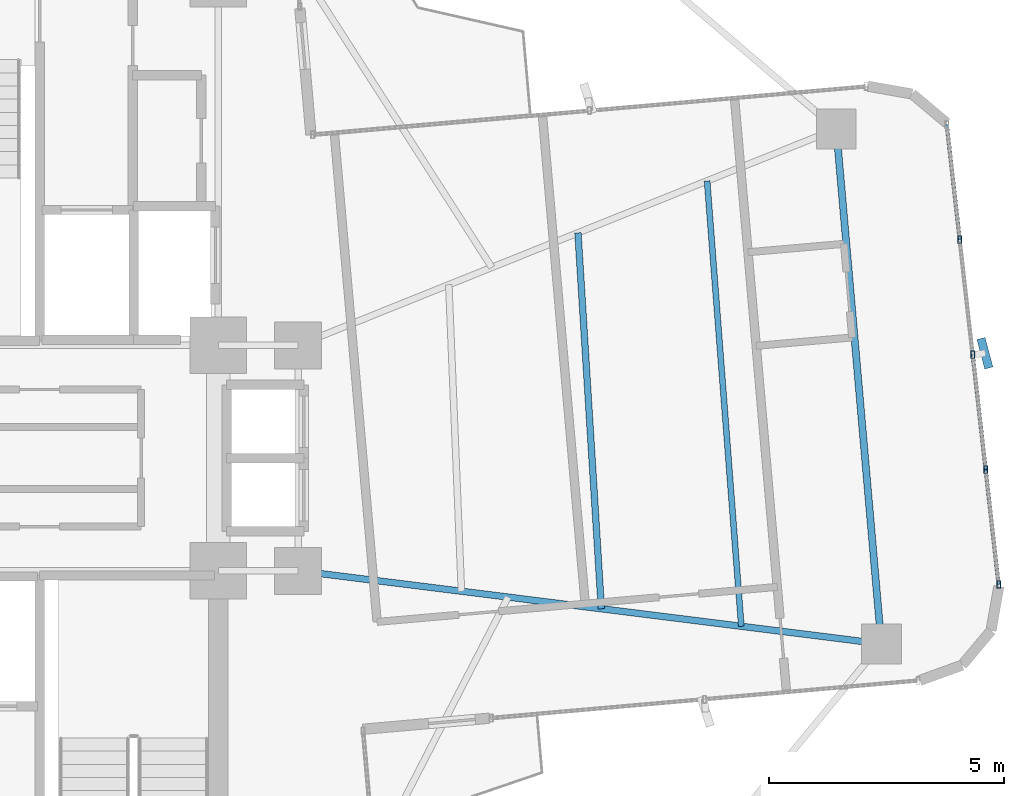
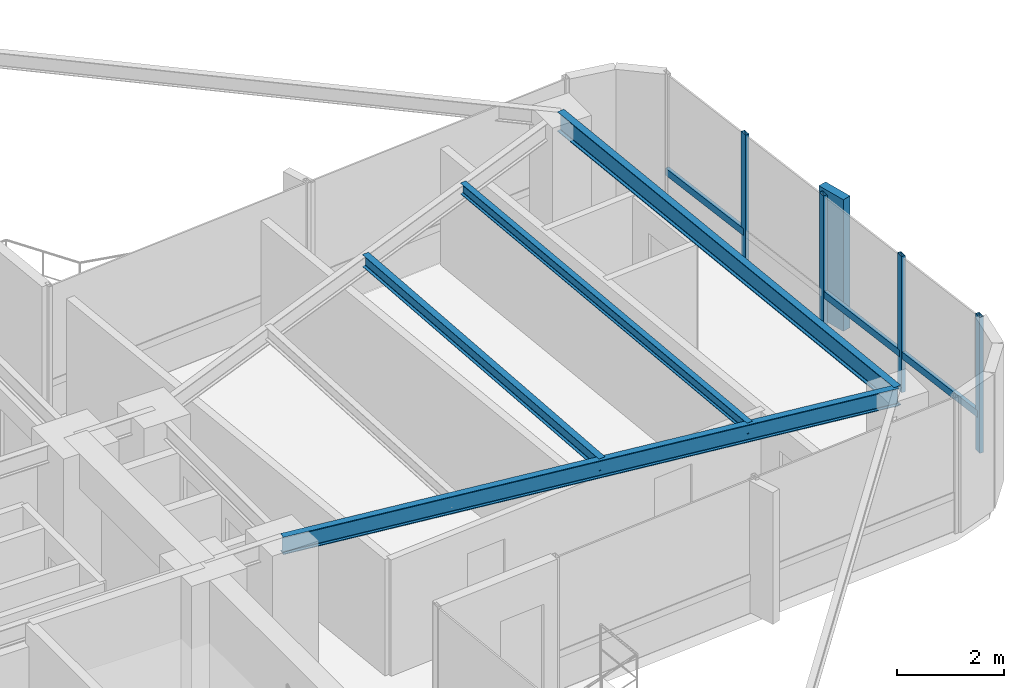
# One storey, part 14 of 24: 8 members, 4 beams, 1 element without a shape of its own.
"""IFC4 building model written with IfcOpenShell, lengths in metres."""

from ifc_helpers import new_model, si_unit, direction, frame, origin, origin_2d, place, context, subcontext, project, spatial, rectangle, hollow_rectangle, i_section, extrude, source, transform, mapped, material, material_profile, profile_set, type_object, element, aggregate, save


model = new_model("IFC4")

# Units and contexts
model_context = context("Model", 3, precision=1e-05, world=origin(), true_north=direction((0.0, 1.0)))
body_context = subcontext(model_context, "Body", "Model", "MODEL_VIEW")
ifc_project = project(units=[si_unit("LENGTHUNIT", "METRE"), si_unit("AREAUNIT", "SQUARE_METRE"), si_unit("VOLUMEUNIT", "CUBIC_METRE"), si_unit("PLANEANGLEUNIT", "RADIAN"), si_unit("MASSUNIT", "GRAM", prefix="KILO")], contexts=[model_context])

# Site, building, storey
site_placement = place(None, origin())
site = spatial("IfcSite", under=ifc_project, at=site_placement, CompositionType="ELEMENT")
building_placement = place(site_placement, origin())
building = spatial("IfcBuilding", under=site, at=building_placement, Name="Sahyath Konkavel Grand Hotel", CompositionType="ELEMENT")
storey_placement = place(building_placement, frame((0.0, 0.0, 157.300048828125)))
storey = spatial("IfcBuildingStorey", under=building, at=storey_placement, Name="L43", CompositionType="ELEMENT", Elevation=157.300048828125)

# Beams
ifc_material_1 = material(Name="Steel E350", Category="steel")
ifc_material_profile_1 = material_profile(ifc_material_1, i_section(OverallWidth=0.139892578125, OverallDepth=0.39990234375, WebThickness=0.0087890625, FlangeThickness=0.01611328125, FilletRadius=0.013916015625, at=origin_2d()), Name="ISMB 400")
ifc_profile_set_1 = profile_set([ifc_material_profile_1], Name="Steel E350")
beam_type_1 = type_object("IfcBeamType", Name="BM-ISMB400", PredefinedType="BEAM", material=ifc_profile_set_1)
shared_shape_1 = source(origin(), body_context, "Body", "SweptSolid", [
    extrude(i_section(OverallWidth=0.139892578125, OverallDepth=0.39990234375, WebThickness=0.0087890625, FlangeThickness=0.01611328125, FilletRadius=0.013916015625, at=origin_2d()), origin(), (0.0, 0.0, 1.0), 12.509765625),
])
beam_1_placement = place(storey_placement, frame((5.5, -2.39990234375, 2.909912109375), z_axis=(0.992254740459, -0.124219684578, 0.0), x_axis=(0.124219684578, 0.992254740459, 0.0)))
element("IfcBeam", 1, at=beam_1_placement, inside=storey, type_object=beam_type_1, Name="L43 Cruciform Radial Girder EA", PredefinedType="BEAM", context=body_context, shape_type="MappedRepresentation", body=[
    mapped(shared_shape_1, transform((0.0, 0.0, 0.0), scale=1.0)),
])
ifc_material_profile_2 = material_profile(ifc_material_1, i_section(OverallWidth=0.14990234375, OverallDepth=0.449951171875, WebThickness=0.009521484375, FlangeThickness=0.017333984375, FilletRadius=0.014892578125, at=origin_2d()), Name="ISMB 450")
ifc_profile_set_2 = profile_set([ifc_material_profile_2], Name="Steel E350")
beam_type_2 = type_object("IfcBeamType", Name="BM-ISMB450", PredefinedType="BEAM", material=ifc_profile_set_2)
shared_shape_2 = source(origin(), body_context, "Body", "SweptSolid", [
    extrude(i_section(OverallWidth=0.14990234375, OverallDepth=0.449951171875, WebThickness=0.009521484375, FlangeThickness=0.017333984375, FilletRadius=0.014892578125, at=origin_2d()), origin(), (0.0, 0.0, 1.0), 11.0),
])
beam_2_placement = place(storey_placement, frame((17.912841796875, -3.953857421875, 2.885009765625), z_axis=(-0.087157314015, 0.996194560622, 0.0), x_axis=(-0.996194560622, -0.087157314015, 0.0)))
element("IfcBeam", 2, at=beam_2_placement, inside=storey, type_object=beam_type_2, Name="L43 Wing Tip Edge Beam E", PredefinedType="BEAM", context=body_context, shape_type="MappedRepresentation", body=[
    mapped(shared_shape_2, transform((0.0, 0.0, 0.0), scale=1.0)),
])
ifc_material_profile_3 = material_profile(ifc_material_1, i_section(OverallWidth=0.139892578125, OverallDepth=0.27490234375, WebThickness=0.00634765625, FlangeThickness=0.0087890625, FilletRadius=0.012939453125, at=origin_2d()), Name="ISLB 275")
ifc_profile_set_3 = profile_set([ifc_material_profile_3], Name="Steel E350")
beam_type_3 = type_object("IfcBeamType", Name="BM-ISLB275", PredefinedType="BEAM", material=ifc_profile_set_3)
shared_shape_3 = source(origin(), body_context, "Body", "SweptSolid", [
    extrude(i_section(OverallWidth=0.139892578125, OverallDepth=0.27490234375, WebThickness=0.00634765625, FlangeThickness=0.0087890625, FilletRadius=0.012939453125, at=origin_2d()), origin(), (0.0, 0.0, 1.0), 8.017822265625),
])
beam_3_placement = place(storey_placement, frame((11.95458984375, -3.2080078125, 2.972412109375), z_axis=(-0.062179233264, 0.998064999362, 0.0), x_axis=(-0.998064999362, -0.062179233264, 0.0)))
element("IfcBeam", 3, at=beam_3_placement, inside=storey, type_object=beam_type_3, Name="L43 Secondary Floor Beam E-2", PredefinedType="BEAM", context=body_context, shape_type="MappedRepresentation", body=[
    mapped(shared_shape_3, transform((0.0, 0.0, 0.0), scale=1.0)),
])
ifc_material_profile_4 = material_profile(ifc_material_1, i_section(OverallWidth=0.125, OverallDepth=0.25, WebThickness=0.0068359375, FlangeThickness=0.012451171875, FilletRadius=0.012939453125, at=origin_2d()), Name="ISMB 250")
ifc_profile_set_4 = profile_set([ifc_material_profile_4], Name="Steel E350")
beam_type_4 = type_object("IfcBeamType", Name="BM-ISMB250", PredefinedType="BEAM", material=ifc_profile_set_4)
shared_shape_4 = source(origin(), body_context, "Body", "SweptSolid", [
    extrude(i_section(OverallWidth=0.125, OverallDepth=0.25, WebThickness=0.0068359375, FlangeThickness=0.012451171875, FilletRadius=0.012939453125, at=origin_2d()), origin(), (0.0, 0.0, 1.0), 9.508056640625),
])
beam_4_placement = place(storey_placement, frame((14.93359375, -3.580810546875, 2.98486328125), z_axis=(-0.076619921029, 0.997060373148, 0.0), x_axis=(-0.997060373148, -0.076619921029, 0.0)))
element("IfcBeam", 4, at=beam_4_placement, inside=storey, type_object=beam_type_4, Name="L43 Secondary Floor Beam E-3", PredefinedType="BEAM", context=body_context, shape_type="MappedRepresentation", body=[
    mapped(shared_shape_4, transform((0.0, 0.0, 0.0), scale=1.0)),
])

# Curtain wall, members
ifc_material_2 = material(Name="Anodised Bronze Aluminium & Low-E Glazing", Category="aluminium")
curtain_wall_type = type_object("IfcCurtainWallType", Name="CW-ZONE3", PredefinedType="NOTDEFINED", material=ifc_material_2)
curtain_wall_placement = place(storey_placement, origin())
curtain_wall = element("IfcCurtainWall", 5, at=curtain_wall_placement, inside=storey, type_object=curtain_wall_type, Name="L43 Unitised Curtain Wall F4", PredefinedType="NOTDEFINED")
ifc_material_3 = material(Name="Anodised Bronze Aluminium", Category="aluminium")
ifc_material_profile_5 = material_profile(ifc_material_3, hollow_rectangle(XDim=0.080078125, YDim=0.159912109375, WallThickness=0.006103515625, at=origin_2d()), Name="RHS 160x80x6")
ifc_profile_set_5 = profile_set([ifc_material_profile_5], Name="Anodised Bronze Aluminium")
member_type_1 = type_object("IfcMemberType", Name="CW-MUL-160", PredefinedType="MULLION", material=ifc_profile_set_5)
shared_shape_5 = source(origin(), body_context, "Body", "SweptSolid", [
    extrude(hollow_rectangle(XDim=0.080078125, YDim=0.159912109375, WallThickness=0.006103515625, at=origin_2d()), origin(), (0.0, 0.0, 1.0), 3.10986328125),
])
member_1_placement = place(storey_placement, frame((20.4111328125, -2.69140625, 0.0), z_axis=(0.0, 0.0, 1.0), x_axis=(1.0, 0.0, 0.0)))
member_1 = element("IfcMember", 6, at=member_1_placement, type_object=member_type_1, Name="L43 Curtain Wall Mullion F4-0", PredefinedType="MULLION", context=body_context, shape_type="MappedRepresentation", body=[
    mapped(shared_shape_5, transform((0.0, 0.0, 0.0), scale=1.0)),
])
member_2_placement = place(storey_placement, frame((20.135498046875, -0.24462890625, 0.0), z_axis=(0.0, 0.0, 1.0), x_axis=(1.0, 0.0, 0.0)))
member_2 = element("IfcMember", 7, at=member_2_placement, type_object=member_type_1, Name="L43 Curtain Wall Mullion F4-1", PredefinedType="MULLION", context=body_context, shape_type="MappedRepresentation", body=[
    mapped(shared_shape_5, transform((0.0, 0.0, 0.0), scale=1.0)),
])
member_3_placement = place(storey_placement, frame((19.859619140625, 2.201904296875, 0.0), z_axis=(0.0, 0.0, 1.0), x_axis=(1.0, 0.0, 0.0)))
member_3 = element("IfcMember", 8, at=member_3_placement, type_object=member_type_1, Name="L43 Curtain Wall Mullion F4-2", PredefinedType="MULLION", context=body_context, shape_type="MappedRepresentation", body=[
    mapped(shared_shape_5, transform((0.0, 0.0, 0.0), scale=1.0)),
])
member_4_placement = place(storey_placement, frame((19.583984375, 4.648193359375, 0.0), z_axis=(0.0, 0.0, 1.0), x_axis=(1.0, 0.0, 0.0)))
member_4 = element("IfcMember", 9, at=member_4_placement, type_object=member_type_1, Name="L43 Curtain Wall Mullion F4-3", PredefinedType="MULLION", context=body_context, shape_type="MappedRepresentation", body=[
    mapped(shared_shape_5, transform((0.0, 0.0, 0.0), scale=1.0)),
])
ifc_material_4 = material(Name="Warm Buff Sandstone Cladding on Concrete C50/60", Category="masonry")
ifc_material_profile_6 = material_profile(ifc_material_4, rectangle(XDim=0.179931640625, YDim=0.64990234375, at=origin_2d()), Name="FIN 180x650")
ifc_profile_set_6 = profile_set([ifc_material_profile_6], Name="Warm Buff Sandstone Cladding on Concrete C50/60")
member_type_2 = type_object("IfcMemberType", Name="FIN-SANDSTONE-650", PredefinedType="MULLION", material=ifc_profile_set_6)
shared_shape_6 = source(origin(), body_context, "Body", "SweptSolid", [
    extrude(rectangle(XDim=0.179931640625, YDim=0.64990234375, at=origin_2d()), origin(), (0.0, 0.0, 1.0), 3.010009765625),
])
member_5_placement = place(storey_placement, frame((20.1181640625, 2.23095703125, 0.050048828125), z_axis=(0.0, 0.0, 1.0), x_axis=(0.966420942741, 0.256964124795, 0.0)))
member_5 = element("IfcMember", 10, at=member_5_placement, type_object=member_type_2, Name="L43 Sandstone Vertical Solar Fin FIN F4-2", PredefinedType="MULLION", context=body_context, shape_type="MappedRepresentation", body=[
    mapped(shared_shape_6, transform((0.0, 0.0, 0.0), scale=1.0)),
])
ifc_material_profile_7 = material_profile(ifc_material_3, hollow_rectangle(XDim=0.080078125, YDim=0.159912109375, WallThickness=0.006103515625, at=origin_2d()), Name="RHS 160x80x6")
ifc_profile_set_7 = profile_set([ifc_material_profile_7], Name="Anodised Bronze Aluminium")
member_type_3 = type_object("IfcMemberType", Name="CW-TRN-160", PredefinedType="USERDEFINED", material=ifc_profile_set_7)
shared_shape_7 = source(origin(), body_context, "Body", "SweptSolid", [
    extrude(hollow_rectangle(XDim=0.080078125, YDim=0.159912109375, WallThickness=0.006103515625, at=origin_2d()), origin(), (0.0, 0.0, 1.0), 2.462158203125),
])
member_6_placement = place(storey_placement, frame((20.4111328125, -2.69140625, 0.849853515625), z_axis=(-0.11194409079, 0.993714506555, 0.0), x_axis=(-0.993714506555, -0.11194409079, 0.0)))
member_6 = element("IfcMember", 11, at=member_6_placement, type_object=member_type_3, Name="L43 Curtain Wall Transom F4-0-spandrel", ObjectType="TRANSOM", PredefinedType="USERDEFINED", context=body_context, shape_type="MappedRepresentation", body=[
    mapped(shared_shape_7, transform((0.0, 0.0, 0.0), scale=1.0)),
])
member_7_placement = place(storey_placement, frame((20.135498046875, -0.24462890625, 0.849853515625), z_axis=(-0.112053040279, 0.99370222711, 0.0), x_axis=(-0.99370222711, -0.112053040279, 0.0)))
member_7 = element("IfcMember", 12, at=member_7_placement, type_object=member_type_3, Name="L43 Curtain Wall Transom F4-1-spandrel", ObjectType="TRANSOM", PredefinedType="USERDEFINED", context=body_context, shape_type="MappedRepresentation", body=[
    mapped(shared_shape_7, transform((0.0, 0.0, 0.0), scale=1.0)),
])
member_8_placement = place(storey_placement, frame((19.583984375, 4.648193359375, 0.849853515625), z_axis=(-0.11194409079, 0.993714506555, 0.0), x_axis=(-0.993714506555, -0.11194409079, 0.0)))
member_8 = element("IfcMember", 13, at=member_8_placement, type_object=member_type_3, Name="L43 Curtain Wall Transom F4-3-spandrel", ObjectType="TRANSOM", PredefinedType="USERDEFINED", context=body_context, shape_type="MappedRepresentation", body=[
    mapped(shared_shape_7, transform((0.0, 0.0, 0.0), scale=1.0)),
])
aggregate(curtain_wall, [member_1, member_2, member_3, member_5, member_4, member_6, member_7, member_8])

save(model, "model.ifc")
